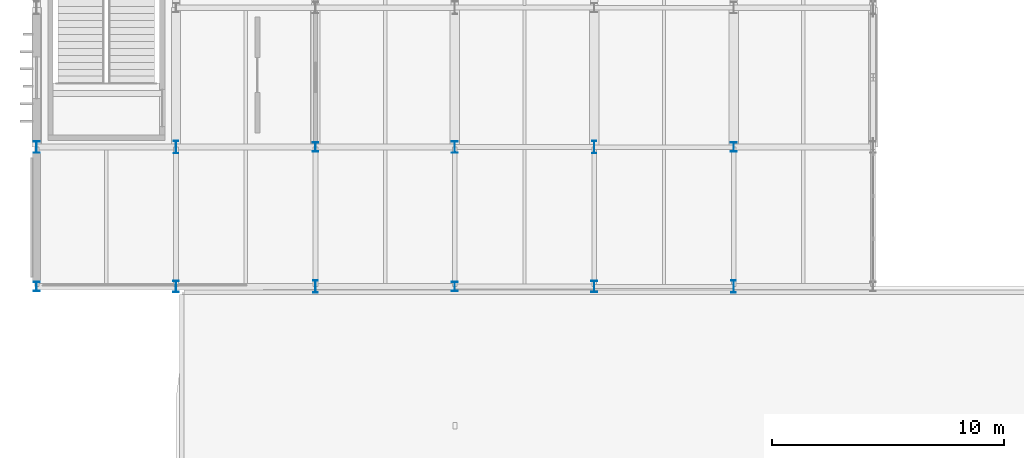
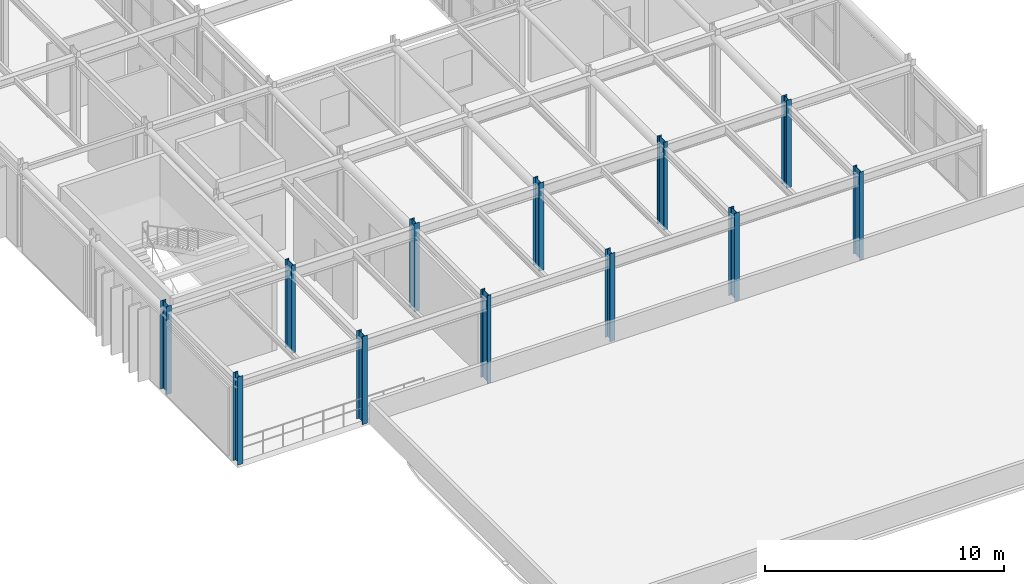
# One storey, part 1 of 84: 12 columns.
"""IFC4 building model written with IfcOpenShell, lengths in metres."""

from ifc_helpers import new_model, si_unit, direction, frame, origin, origin_2d, place, context, subcontext, project, spatial, i_section, extrude, material, material_profile, profile_set, type_object, element, save


model = new_model("IFC4")

# Units and contexts
model_context = context("Model", 3, precision=1e-05, world=origin(), true_north=direction((0.0, 1.0)))
body_context = subcontext(model_context, "Body", "Model", "MODEL_VIEW")
ifc_project = project(units=[si_unit("LENGTHUNIT", "METRE"), si_unit("AREAUNIT", "SQUARE_METRE"), si_unit("VOLUMEUNIT", "CUBIC_METRE"), si_unit("PLANEANGLEUNIT", "RADIAN"), si_unit("MASSUNIT", "GRAM", prefix="KILO")], contexts=[model_context])

# Site, building, storey
site_placement = place(None, origin())
site = spatial("IfcSite", under=ifc_project, at=site_placement, CompositionType="ELEMENT")
building_placement = place(site_placement, origin())
building = spatial("IfcBuilding", under=site, at=building_placement, Name="Varnakota Square Police Headquarters", CompositionType="ELEMENT")
storey_placement = place(building_placement, frame((0.0, 0.0, 13.5)))
storey = spatial("IfcBuildingStorey", under=building, at=storey_placement, Name="L03", CompositionType="ELEMENT", Elevation=13.5)

# Columns
ifc_material = material(Name="Steel IS 2062 Grade 350", Category="steel")
ifc_material_profile_1 = material_profile(ifc_material, i_section(OverallWidth=0.25, OverallDepth=0.39990234375, WebThickness=0.010498046875, FlangeThickness=0.0126953125, FilletRadius=0.013916015625, at=origin_2d()), Name="ISHB 400")
ifc_profile_set_1 = profile_set([ifc_material_profile_1], Name="Steel IS 2062 Grade 350")
column_type_1 = type_object("IfcColumnType", Name="COL-ISHB400", PredefinedType="COLUMN", material=ifc_profile_set_1)
for number, where, z_axis, x_axis, name in (
    (1, (6.0, 21.0, 0.0), (0.0, 0.0, 1.0), (1.0, 0.0, 0.0), "Column X0060-Y0210 L03"),
    (2, (18.0, 27.0, 0.0), (0.0, 0.0, 1.0), (1.0, 0.0, 0.0), "Column X0180-Y0270 L03"),
    (3, (24.0, 21.0, 0.0), (0.0, 0.0, 1.0), (1.0, 0.0, 0.0), "Column X0240-Y0210 L03"),
    (4, (36.0, 27.0, 0.0), (0.0, 0.0, 1.0), (1.0, 0.0, 0.0), "Column X0360-Y0270 L03"),
):
    element("IfcColumn", number, at=place(storey_placement, frame(where, z_axis=z_axis, x_axis=x_axis)), inside=storey, type_object=column_type_1, Name=name, PredefinedType="COLUMN", context=body_context, shape_type="SweptSolid", body=[
        extrude(i_section(OverallWidth=0.25, OverallDepth=0.39990234375, WebThickness=0.010498046875, FlangeThickness=0.0126953125, FilletRadius=0.013916015625, at=origin_2d()), origin(), (0.0, 0.0, 1.0), 4.5),
    ])
ifc_material_profile_2 = material_profile(ifc_material, i_section(OverallWidth=0.18994140625, OverallDepth=0.550048828125, WebThickness=0.01123046875, FlangeThickness=0.019287109375, FilletRadius=0.01806640625, at=origin_2d()), Name="ISMB 550")
ifc_profile_set_2 = profile_set([ifc_material_profile_2], Name="Steel IS 2062 Grade 350")
column_type_2 = type_object("IfcColumnType", Name="COL-ISMB550", PredefinedType="COLUMN", material=ifc_profile_set_2)
for number, where, z_axis, x_axis, name in (
    (5, (12.0, 27.0, 0.0), (0.0, 0.0, 1.0), (1.0, 0.0, 0.0), "Column X0120-Y0270 L03"),
    (6, (18.0, 21.0, 0.0), (0.0, 0.0, 1.0), (1.0, 0.0, 0.0), "Column X0180-Y0210 L03"),
    (7, (30.0, 27.0, 0.0), (0.0, 0.0, 1.0), (1.0, 0.0, 0.0), "Column X0300-Y0270 L03"),
    (8, (36.0, 21.0, 0.0), (0.0, 0.0, 1.0), (1.0, 0.0, 0.0), "Column X0360-Y0210 L03"),
):
    element("IfcColumn", number, at=place(storey_placement, frame(where, z_axis=z_axis, x_axis=x_axis)), inside=storey, type_object=column_type_2, Name=name, PredefinedType="COLUMN", context=body_context, shape_type="SweptSolid", body=[
        extrude(i_section(OverallWidth=0.18994140625, OverallDepth=0.550048828125, WebThickness=0.01123046875, FlangeThickness=0.019287109375, FilletRadius=0.01806640625, at=origin_2d()), origin(), (0.0, 0.0, 1.0), 4.5),
    ])
ifc_material_profile_3 = material_profile(ifc_material, i_section(OverallWidth=0.25, OverallDepth=0.5, WebThickness=0.010009765625, FlangeThickness=0.0146484375, FilletRadius=0.014892578125, at=origin_2d()), Name="ISWB 500")
ifc_profile_set_3 = profile_set([ifc_material_profile_3], Name="Steel IS 2062 Grade 350")
column_type_3 = type_object("IfcColumnType", Name="COL-ISWB500", PredefinedType="COLUMN", material=ifc_profile_set_3)
for number, where, z_axis, x_axis, name in (
    (9, (6.0, 27.0, 0.0), (0.0, 0.0, 1.0), (1.0, 0.0, 0.0), "Column X0060-Y0270 L03"),
    (10, (12.0, 21.0, 0.0), (0.0, 0.0, 1.0), (1.0, 0.0, 0.0), "Column X0120-Y0210 L03"),
    (11, (24.0, 27.0, 0.0), (0.0, 0.0, 1.0), (1.0, 0.0, 0.0), "Column X0240-Y0270 L03"),
    (12, (30.0, 21.0, 0.0), (0.0, 0.0, 1.0), (1.0, 0.0, 0.0), "Column X0300-Y0210 L03"),
):
    element("IfcColumn", number, at=place(storey_placement, frame(where, z_axis=z_axis, x_axis=x_axis)), inside=storey, type_object=column_type_3, Name=name, PredefinedType="COLUMN", context=body_context, shape_type="SweptSolid", body=[
        extrude(i_section(OverallWidth=0.25, OverallDepth=0.5, WebThickness=0.010009765625, FlangeThickness=0.0146484375, FilletRadius=0.014892578125, at=origin_2d()), origin(), (0.0, 0.0, 1.0), 4.5),
    ])

save(model, "model.ifc")
